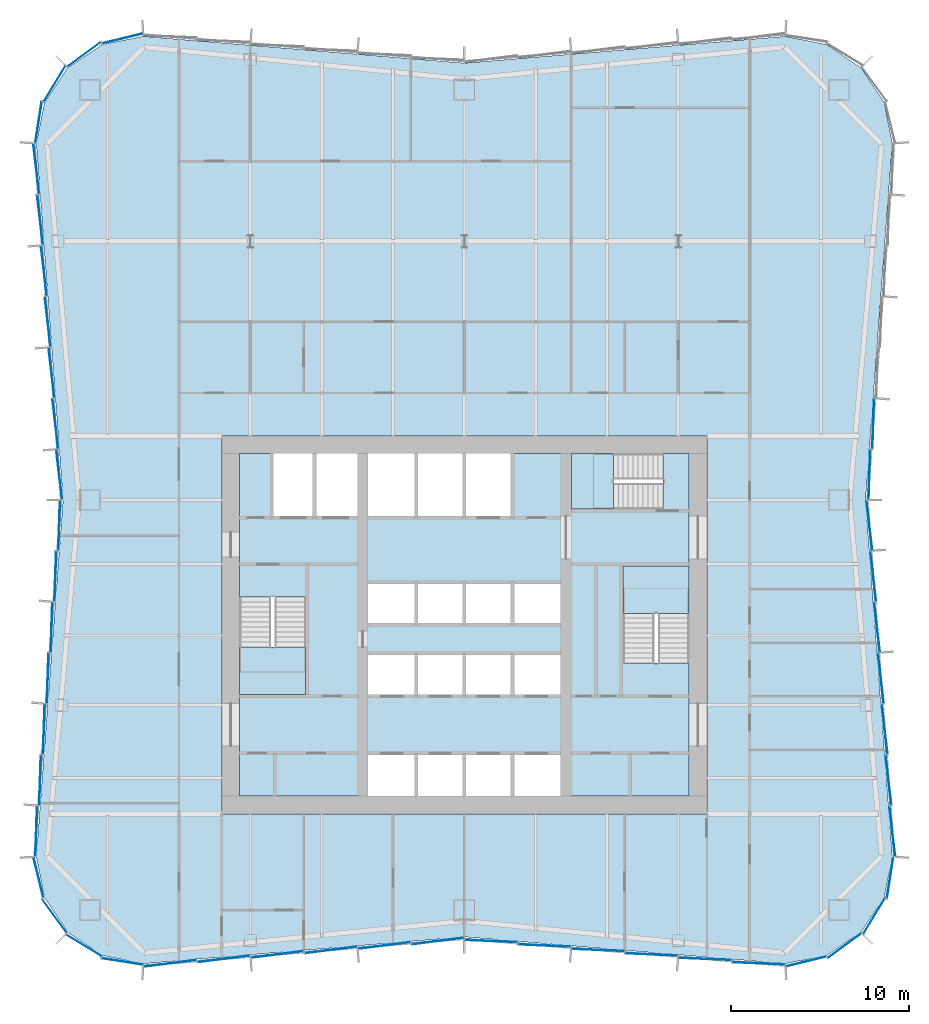
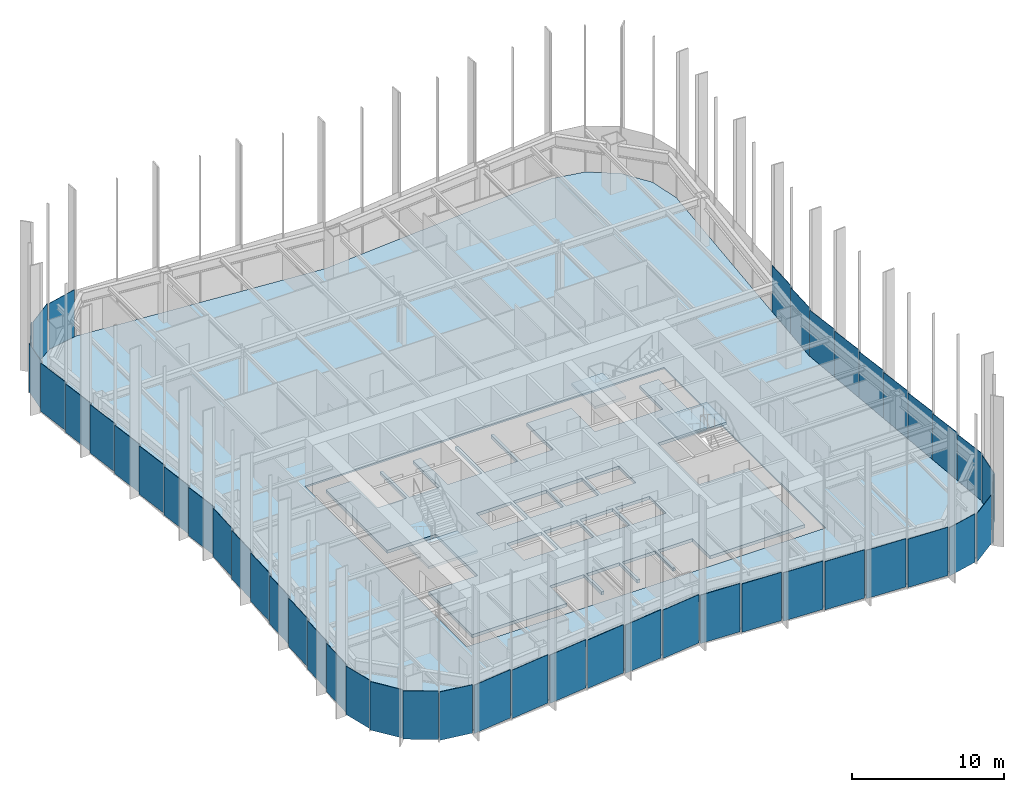
# One storey, part 8 of 13: 47 plates, 5 slabs, 9 elements without a shape of their own.
"""IFC4 building model written with IfcOpenShell, lengths in metres."""

from ifc_helpers import new_model, si_unit, direction, frame, origin, origin_2d, place, context, subcontext, project, spatial, polyline, rectangle, outline, extrude, material, layer, layer_set, type_object, element, aggregate, save


model = new_model("IFC4")

# Units and contexts
model_context = context("Model", 3, precision=1e-05, world=origin(), true_north=direction((0.0, 1.0)))
body_context = subcontext(model_context, "Body", "Model", "MODEL_VIEW")
ifc_project = project(units=[si_unit("LENGTHUNIT", "METRE"), si_unit("AREAUNIT", "SQUARE_METRE"), si_unit("VOLUMEUNIT", "CUBIC_METRE"), si_unit("PLANEANGLEUNIT", "RADIAN"), si_unit("MASSUNIT", "GRAM", prefix="KILO")], contexts=[model_context])

# Site, building, storey
site_placement = place(None, origin())
site = spatial("IfcSite", under=ifc_project, at=site_placement, CompositionType="ELEMENT")
building_placement = place(site_placement, origin())
building = spatial("IfcBuilding", under=site, at=building_placement, Name="Verdant Reach Tower", CompositionType="ELEMENT")
storey_placement = place(building_placement, frame((0.0, 0.0, 138.0)))
storey = spatial("IfcBuildingStorey", under=building, at=storey_placement, Name="L31", CompositionType="ELEMENT", Elevation=138.0)

# Stair, slab
ifc_material_1 = material(Name="Concrete C40/50", Category="concrete")
stair_type = type_object("IfcStairType", Name="CO-STAIR", PredefinedType="HALF_TURN_STAIR", material=ifc_material_1)
stair_1_placement = place(storey_placement, origin())
stair_1 = element("IfcStair", 1, at=stair_1_placement, inside=storey, type_object=stair_type, Name="L31 Exit stair 1", PredefinedType="HALF_TURN_STAIR")
ifc_layer_1 = layer(ifc_material_1, 0.199951171875)
ifc_layer_set_1 = layer_set([ifc_layer_1], Name="CO-STAIR-LANDING")
slab_type_1 = type_object("IfcSlabType", Name="CO-STAIR-LANDING", PredefinedType="LANDING", material=ifc_layer_set_1)
slab_1_placement = place(storey_placement, frame((0.0, 0.0, 1.800048828125)))
slab_1 = element("IfcSlab", 2, at=slab_1_placement, type_object=slab_type_1, Name="ST-1 landing 1", PredefinedType="LANDING", context=body_context, shape_type="SweptSolid", body=[
    extrude(outline(polyline([(-12.60009765625, 26.75), (-12.60009765625, 24.10009765625), (-8.89990234375, 24.10009765625), (-8.89990234375, 26.75), (-12.60009765625, 26.75)])), origin(), (0.0, 0.0, 1.0), 0.199951171875),
])
aggregate(stair_1, [slab_1])

stair_2_placement = place(storey_placement, origin())
stair_2 = element("IfcStair", 3, at=stair_2_placement, inside=storey, type_object=stair_type, Name="L31 Exit stair 2", PredefinedType="HALF_TURN_STAIR")
slab_2_placement = place(storey_placement, frame((0.0, 0.0, 1.800048828125)))
slab_2 = element("IfcSlab", 4, at=slab_2_placement, type_object=slab_type_1, Name="ST-2 landing 1", PredefinedType="LANDING", context=body_context, shape_type="SweptSolid", body=[
    extrude(outline(polyline([(12.60009765625, 28.64990234375), (12.60009765625, 31.300048828125), (8.89990234375, 31.300048828125), (8.89990234375, 28.64990234375), (12.60009765625, 28.64990234375)])), origin(), (0.0, 0.0, 1.0), 0.199951171875),
])
aggregate(stair_2, [slab_2])

stair_3_placement = place(storey_placement, origin())
stair_3 = element("IfcStair", 5, at=stair_3_placement, inside=storey, type_object=stair_type, Name="L31 Exit stair 3", PredefinedType="HALF_TURN_STAIR")
slab_3_placement = place(storey_placement, frame((0.0, 0.0, 1.800048828125)))
slab_3 = element("IfcSlab", 6, at=slab_3_placement, type_object=slab_type_1, Name="ST-3 landing 1", PredefinedType="LANDING", context=body_context, shape_type="SweptSolid", body=[
    extrude(outline(polyline([(8.35009765625, 37.60009765625), (6.0, 37.60009765625), (6.0, 34.5), (8.35009765625, 34.5), (8.35009765625, 37.60009765625)])), origin(), (0.0, 0.0, 1.0), 0.199951171875),
])
aggregate(stair_3, [slab_3])

# Curtain wall, plate
ifc_material_2 = material(Name="Anodised aluminium", Category="aluminium")
curtain_wall_type = type_object("IfcCurtainWallType", Name="EN-CW SYSTEM Z2", PredefinedType="NOTDEFINED", material=ifc_material_2)
curtain_wall_1_placement = place(storey_placement, origin())
curtain_wall_1 = element("IfcCurtainWall", 7, at=curtain_wall_1_placement, inside=storey, type_object=curtain_wall_type, Name="Curtain wall south-east corner, L31", PredefinedType="NOTDEFINED")
ifc_material_3 = material(Name="Tinted glass with champagne spandrel", Category="glass")
ifc_layer_2 = layer(ifc_material_3, 0.031982421875)
ifc_layer_set_2 = layer_set([ifc_layer_2], Name="EN-PANEL CHAMPAGNE")
plate_type_1 = type_object("IfcPlateType", Name="EN-PANEL CHAMPAGNE", PredefinedType="CURTAIN_PANEL", material=ifc_layer_set_2)
plate_1_placement = place(storey_placement, frame((23.87353515625, 13.828369140625, -0.22607421875), z_axis=(0.0, 0.0, 1.0), x_axis=(0.154281290631, 0.988026964896, 0.0)))
plate_1 = element("IfcPlate", 8, at=plate_1_placement, type_object=plate_type_1, Name="Glass panel south-east corner 4.1, L31", PredefinedType="CURTAIN_PANEL", context=body_context, shape_type="SweptSolid", body=[
    extrude(rectangle(XDim=2.316162109375, YDim=0.031982421875, at=origin_2d()), origin(), (0.0, 0.0, 1.0), 3.8759765625),
])

# Curtain wall, plates
curtain_wall_2_placement = place(storey_placement, origin())
curtain_wall_2 = element("IfcCurtainWall", 9, at=curtain_wall_2_placement, inside=storey, type_object=curtain_wall_type, Name="Curtain wall east, L31", PredefinedType="NOTDEFINED")
plate_2_placement = place(storey_placement, frame((23.7841796875, 19.293701171875, -0.22607421875), z_axis=(0.0, 0.0, 1.0), x_axis=(-0.116482717753, 0.993192718693, 0.0)))
plate_2 = element("IfcPlate", 10, at=plate_2_placement, type_object=plate_type_1, Name="Glass panel east face part 1 2.1, L31", PredefinedType="CURTAIN_PANEL", context=body_context, shape_type="SweptSolid", body=[
    extrude(rectangle(XDim=2.80517578125, YDim=0.031982421875, at=origin_2d()), origin(), (0.0, 0.0, 1.0), 3.8759765625),
])
plate_3_placement = place(storey_placement, frame((23.570068359375, 22.15087890625, -0.22607421875), z_axis=(0.0, 0.0, 1.0), x_axis=(-0.116482717753, 0.993192718693, 0.0)))
plate_3 = element("IfcPlate", 11, at=plate_3_placement, type_object=plate_type_1, Name="Glass panel east face part 1 3.1, L31", PredefinedType="CURTAIN_PANEL", context=body_context, shape_type="SweptSolid", body=[
    extrude(rectangle(XDim=2.80517578125, YDim=0.031982421875, at=origin_2d()), origin(), (0.0, 0.0, 1.0), 3.8759765625),
])

curtain_wall_3_placement = place(storey_placement, origin())
curtain_wall_3 = element("IfcCurtainWall", 12, at=curtain_wall_3_placement, inside=storey, type_object=curtain_wall_type, Name="Curtain wall north-west corner, L31", PredefinedType="NOTDEFINED")
plate_4_placement = place(storey_placement, frame((-19.17138671875, 60.87353515625, -0.22607421875), z_axis=(0.0, 0.0, 1.0), x_axis=(-0.971657900775, -0.236391463174, 0.0)))
plate_4 = element("IfcPlate", 13, at=plate_4_placement, type_object=plate_type_1, Name="Glass panel north-west corner 1.1, L31", PredefinedType="CURTAIN_PANEL", context=body_context, shape_type="SweptSolid", body=[
    extrude(rectangle(XDim=2.31640625, YDim=0.031982421875, at=origin_2d()), origin(), (0.0, 0.0, 1.0), 3.8759765625),
])
plate_5_placement = place(storey_placement, frame((-21.3271484375, 59.9794921875, -0.22607421875), z_axis=(0.0, 0.0, 1.0), x_axis=(-0.807456760688, -0.589926757843, 0.0)))
plate_5 = element("IfcPlate", 14, at=plate_5_placement, type_object=plate_type_1, Name="Glass panel north-west corner 2.1, L31", PredefinedType="CURTAIN_PANEL", context=body_context, shape_type="SweptSolid", body=[
    extrude(rectangle(XDim=2.322509765625, YDim=0.031982421875, at=origin_2d()), origin(), (0.0, 0.0, 1.0), 3.8759765625),
])

curtain_wall_4_placement = place(storey_placement, origin())
curtain_wall_4 = element("IfcCurtainWall", 15, at=curtain_wall_4_placement, inside=storey, type_object=curtain_wall_type, Name="Curtain wall west, L31", PredefinedType="NOTDEFINED")
plate_6_placement = place(storey_placement, frame((-22.92724609375, 39.27783203125, -0.22607421875), z_axis=(0.0, 0.0, 1.0), x_axis=(0.116482717753, -0.993192718693, 0.0)))
plate_6 = element("IfcPlate", 16, at=plate_6_placement, type_object=plate_type_1, Name="Glass panel west face part 1 6.1, L31", PredefinedType="CURTAIN_PANEL", context=body_context, shape_type="SweptSolid", body=[
    extrude(rectangle(XDim=2.80517578125, YDim=0.031982421875, at=origin_2d()), origin(), (0.0, 0.0, 1.0), 3.8759765625),
])
plate_7_placement = place(storey_placement, frame((-22.712890625, 36.424560546875, -0.22607421875), z_axis=(0.0, 0.0, 1.0), x_axis=(0.116585911919, -0.993180610535, 0.0)))
plate_7 = element("IfcPlate", 17, at=plate_7_placement, type_object=plate_type_1, Name="Glass panel west face part 1 7.1, L31", PredefinedType="CURTAIN_PANEL", context=body_context, shape_type="SweptSolid", body=[
    extrude(rectangle(XDim=2.797119140625, YDim=0.031982421875, at=origin_2d()), origin(), (0.0, 0.0, 1.0), 3.8759765625),
])
plate_8_placement = place(storey_placement, frame((-22.712890625, 33.575439453125, -0.22607421875), z_axis=(0.0, 0.0, 1.0), x_axis=(-0.033069817188, -0.999453044015, 0.0)))
plate_8 = element("IfcPlate", 18, at=plate_8_placement, type_object=plate_type_1, Name="Glass panel west face part 2 1.1, L31", PredefinedType="CURTAIN_PANEL", context=body_context, shape_type="SweptSolid", body=[
    extrude(rectangle(XDim=2.797119140625, YDim=0.031982421875, at=origin_2d()), origin(), (0.0, 0.0, 1.0), 3.8759765625),
])
plate_9_placement = place(storey_placement, frame((-23.99853515625, 16.42919921875, -0.22607421875), z_axis=(0.0, 0.0, 1.0), x_axis=(-0.032628234484, -0.99946755741, 0.0)))
plate_9 = element("IfcPlate", 19, at=plate_9_placement, type_object=plate_type_1, Name="Glass panel west face part 2 7.1, L31", PredefinedType="CURTAIN_PANEL", context=body_context, shape_type="SweptSolid", body=[
    extrude(rectangle(XDim=2.819580078125, YDim=0.031982421875, at=origin_2d()), origin(), (0.0, 0.0, 1.0), 3.8759765625),
])

curtain_wall_5_placement = place(storey_placement, origin())
curtain_wall_5 = element("IfcCurtainWall", 20, at=curtain_wall_5_placement, inside=storey, type_object=curtain_wall_type, Name="Curtain wall south, L31", PredefinedType="NOTDEFINED")
plate_10_placement = place(storey_placement, frame((-7.4912109375, 9.769287109375, -0.22607421875), z_axis=(0.0, 0.0, 1.0), x_axis=(0.992194034542, 0.124703639961, 0.0)))
plate_10 = element("IfcPlate", 21, at=plate_10_placement, type_object=plate_type_1, Name="Glass panel south face part 1 4.1, L31", PredefinedType="CURTAIN_PANEL", context=body_context, shape_type="SweptSolid", body=[
    extrude(rectangle(XDim=2.950439453125, YDim=0.031982421875, at=origin_2d()), origin(), (0.0, 0.0, 1.0), 3.8759765625),
])
plate_11_placement = place(storey_placement, frame((-4.4912109375, 10.019287109375, -0.22607421875), z_axis=(0.0, 0.0, 1.0), x_axis=(0.992194034542, 0.124703639961, 0.0)))
plate_11 = element("IfcPlate", 22, at=plate_11_placement, type_object=plate_type_1, Name="Glass panel south face part 1 5.1, L31", PredefinedType="CURTAIN_PANEL", context=body_context, shape_type="SweptSolid", body=[
    extrude(rectangle(XDim=2.950439453125, YDim=0.031982421875, at=origin_2d()), origin(), (0.0, 0.0, 1.0), 3.8759765625),
])
plate_12_placement = place(storey_placement, frame((13.4912109375, 9.269287109375, -0.22607421875), z_axis=(0.0, 0.0, 1.0), x_axis=(0.999149202059, -0.041241629766, 0.0)))
plate_12 = element("IfcPlate", 23, at=plate_12_placement, type_object=plate_type_1, Name="Glass panel south face part 2 5.1, L31", PredefinedType="CURTAIN_PANEL", context=body_context, shape_type="SweptSolid", body=[
    extrude(rectangle(XDim=2.950439453125, YDim=0.031982421875, at=origin_2d()), origin(), (0.0, 0.0, 1.0), 3.8759765625),
])
plate_13_placement = place(storey_placement, frame((16.49853515625, 9.019287109375, -0.22607421875), z_axis=(0.0, 0.0, 1.0), x_axis=(0.999163230224, -0.040900359019, 0.0)))
plate_13 = element("IfcPlate", 24, at=plate_13_placement, type_object=plate_type_1, Name="Glass panel south face part 2 6.1, L31", PredefinedType="CURTAIN_PANEL", context=body_context, shape_type="SweptSolid", body=[
    extrude(rectangle(XDim=2.965087890625, YDim=0.031982421875, at=origin_2d()), origin(), (0.0, 0.0, 1.0), 3.8759765625),
])

# Plate
ifc_material_4 = material(Name="Tinted glass with copper spandrel", Category="glass")
ifc_layer_3 = layer(ifc_material_4, 0.031982421875)
ifc_layer_set_3 = layer_set([ifc_layer_3], Name="EN-PANEL COPPER")
plate_type_2 = type_object("IfcPlateType", Name="EN-PANEL COPPER", PredefinedType="CURTAIN_PANEL", material=ifc_layer_set_3)
plate_14_placement = place(storey_placement, frame((23.355712890625, 25.0078125, -0.22607421875), z_axis=(0.0, 0.0, 1.0), x_axis=(-0.116482717753, 0.993192718693, 0.0)))
plate_14 = element("IfcPlate", 25, at=plate_14_placement, type_object=plate_type_2, Name="Glass panel east face part 1 4.1, L31", PredefinedType="CURTAIN_PANEL", context=body_context, shape_type="SweptSolid", body=[
    extrude(rectangle(XDim=2.80517578125, YDim=0.031982421875, at=origin_2d()), origin(), (0.0, 0.0, 1.0), 3.8759765625),
])

plate_15_placement = place(storey_placement, frame((23.141357421875, 27.864990234375, -0.22607421875), z_axis=(0.0, 0.0, 1.0), x_axis=(-0.116482717753, 0.993192718693, 0.0)))
plate_15 = element("IfcPlate", 26, at=plate_15_placement, type_object=plate_type_2, Name="Glass panel east face part 1 5.1, L31", PredefinedType="CURTAIN_PANEL", context=body_context, shape_type="SweptSolid", body=[
    extrude(rectangle(XDim=2.80517578125, YDim=0.031982421875, at=origin_2d()), origin(), (0.0, 0.0, 1.0), 3.8759765625),
])

plate_16_placement = place(storey_placement, frame((22.92724609375, 30.72216796875, -0.22607421875), z_axis=(0.0, 0.0, 1.0), x_axis=(-0.116482717753, 0.993192718693, 0.0)))
plate_16 = element("IfcPlate", 27, at=plate_16_placement, type_object=plate_type_2, Name="Glass panel east face part 1 6.1, L31", PredefinedType="CURTAIN_PANEL", context=body_context, shape_type="SweptSolid", body=[
    extrude(rectangle(XDim=2.80517578125, YDim=0.031982421875, at=origin_2d()), origin(), (0.0, 0.0, 1.0), 3.8759765625),
])

plate_17_placement = place(storey_placement, frame((-22.9794921875, 58.3271484375, -0.22607421875), z_axis=(0.0, 0.0, 1.0), x_axis=(-0.520291561353, -0.853988694998, 0.0)))
plate_17 = element("IfcPlate", 28, at=plate_17_placement, type_object=plate_type_2, Name="Glass panel north-west corner 3.1, L31", PredefinedType="CURTAIN_PANEL", context=body_context, shape_type="SweptSolid", body=[
    extrude(rectangle(XDim=2.322509765625, YDim=0.031982421875, at=origin_2d()), origin(), (0.0, 0.0, 1.0), 3.8759765625),
])

plate_18_placement = place(storey_placement, frame((-23.87353515625, 56.171630859375, -0.22607421875), z_axis=(0.0, 0.0, 1.0), x_axis=(-0.154281290631, -0.988026964896, 0.0)))
plate_18 = element("IfcPlate", 29, at=plate_18_placement, type_object=plate_type_2, Name="Glass panel north-west corner 4.1, L31", PredefinedType="CURTAIN_PANEL", context=body_context, shape_type="SweptSolid", body=[
    extrude(rectangle(XDim=2.316162109375, YDim=0.031982421875, at=origin_2d()), origin(), (0.0, 0.0, 1.0), 3.8759765625),
])

aggregate(curtain_wall_3, [plate_4, plate_5, plate_17, plate_18])

plate_19_placement = place(storey_placement, frame((-23.99853515625, 53.57080078125, -0.22607421875), z_axis=(0.0, 0.0, 1.0), x_axis=(0.116147092358, -0.993232023717, 0.0)))
plate_19 = element("IfcPlate", 30, at=plate_19_placement, type_object=plate_type_2, Name="Glass panel west face part 1 1.1, L31", PredefinedType="CURTAIN_PANEL", context=body_context, shape_type="SweptSolid", body=[
    extrude(rectangle(XDim=2.819580078125, YDim=0.031982421875, at=origin_2d()), origin(), (0.0, 0.0, 1.0), 3.8759765625),
])

plate_20_placement = place(storey_placement, frame((-23.7841796875, 50.706298828125, -0.22607421875), z_axis=(0.0, 0.0, 1.0), x_axis=(0.116482717753, -0.993192718693, 0.0)))
plate_20 = element("IfcPlate", 31, at=plate_20_placement, type_object=plate_type_2, Name="Glass panel west face part 1 2.1, L31", PredefinedType="CURTAIN_PANEL", context=body_context, shape_type="SweptSolid", body=[
    extrude(rectangle(XDim=2.80517578125, YDim=0.031982421875, at=origin_2d()), origin(), (0.0, 0.0, 1.0), 3.8759765625),
])

plate_21_placement = place(storey_placement, frame((-22.92724609375, 30.72216796875, -0.22607421875), z_axis=(0.0, 0.0, 1.0), x_axis=(-0.032965971753, -0.999456474643, 0.0)))
plate_21 = element("IfcPlate", 32, at=plate_21_placement, type_object=plate_type_2, Name="Glass panel west face part 2 2.1, L31", PredefinedType="CURTAIN_PANEL", context=body_context, shape_type="SweptSolid", body=[
    extrude(rectangle(XDim=2.80517578125, YDim=0.031982421875, at=origin_2d()), origin(), (0.0, 0.0, 1.0), 3.8759765625),
])

plate_22_placement = place(storey_placement, frame((-23.141357421875, 27.864990234375, -0.22607421875), z_axis=(0.0, 0.0, 1.0), x_axis=(-0.032965971753, -0.999456474643, 0.0)))
plate_22 = element("IfcPlate", 33, at=plate_22_placement, type_object=plate_type_2, Name="Glass panel west face part 2 3.1, L31", PredefinedType="CURTAIN_PANEL", context=body_context, shape_type="SweptSolid", body=[
    extrude(rectangle(XDim=2.80517578125, YDim=0.031982421875, at=origin_2d()), origin(), (0.0, 0.0, 1.0), 3.8759765625),
])

plate_23_placement = place(storey_placement, frame((-23.355712890625, 25.0078125, -0.22607421875), z_axis=(0.0, 0.0, 1.0), x_axis=(-0.032965971753, -0.999456474643, 0.0)))
plate_23 = element("IfcPlate", 34, at=plate_23_placement, type_object=plate_type_2, Name="Glass panel west face part 2 4.1, L31", PredefinedType="CURTAIN_PANEL", context=body_context, shape_type="SweptSolid", body=[
    extrude(rectangle(XDim=2.80517578125, YDim=0.031982421875, at=origin_2d()), origin(), (0.0, 0.0, 1.0), 3.8759765625),
])

# Curtain wall, plates
curtain_wall_6_placement = place(storey_placement, origin())
curtain_wall_6 = element("IfcCurtainWall", 35, at=curtain_wall_6_placement, inside=storey, type_object=curtain_wall_type, Name="Curtain wall south-west corner, L31", PredefinedType="NOTDEFINED")
plate_24_placement = place(storey_placement, frame((-23.87353515625, 13.828369140625, -0.22607421875), z_axis=(0.0, 0.0, 1.0), x_axis=(0.236416170006, -0.971651889598, 0.0)))
plate_24 = element("IfcPlate", 36, at=plate_24_placement, type_object=plate_type_2, Name="Glass panel south-west corner 1.1, L31", PredefinedType="CURTAIN_PANEL", context=body_context, shape_type="SweptSolid", body=[
    extrude(rectangle(XDim=2.316162109375, YDim=0.031982421875, at=origin_2d()), origin(), (0.0, 0.0, 1.0), 3.8759765625),
])
plate_25_placement = place(storey_placement, frame((-22.9794921875, 11.6728515625, -0.22607421875), z_axis=(0.0, 0.0, 1.0), x_axis=(0.589926757843, -0.807456760688, 0.0)))
plate_25 = element("IfcPlate", 37, at=plate_25_placement, type_object=plate_type_2, Name="Glass panel south-west corner 2.1, L31", PredefinedType="CURTAIN_PANEL", context=body_context, shape_type="SweptSolid", body=[
    extrude(rectangle(XDim=2.322509765625, YDim=0.031982421875, at=origin_2d()), origin(), (0.0, 0.0, 1.0), 3.8759765625),
])

# Plate
plate_26_placement = place(storey_placement, frame((-1.49560546875, 10.269287109375, -0.22607421875), z_axis=(0.0, 0.0, 1.0), x_axis=(0.992178815188, 0.12482467181, 0.0)))
plate_26 = element("IfcPlate", 38, at=plate_26_placement, type_object=plate_type_2, Name="Glass panel south face part 1 6.1, L31", PredefinedType="CURTAIN_PANEL", context=body_context, shape_type="SweptSolid", body=[
    extrude(rectangle(XDim=2.941650390625, YDim=0.031982421875, at=origin_2d()), origin(), (0.0, 0.0, 1.0), 3.8759765625),
])

plate_27_placement = place(storey_placement, frame((1.49560546875, 10.269287109375, -0.22607421875), z_axis=(0.0, 0.0, 1.0), x_axis=(0.999144163765, -0.041363510662, 0.0)))
plate_27 = element("IfcPlate", 39, at=plate_27_placement, type_object=plate_type_2, Name="Glass panel south face part 2 1.1, L31", PredefinedType="CURTAIN_PANEL", context=body_context, shape_type="SweptSolid", body=[
    extrude(rectangle(XDim=2.941650390625, YDim=0.031982421875, at=origin_2d()), origin(), (0.0, 0.0, 1.0), 3.8759765625),
])

plate_28_placement = place(storey_placement, frame((4.4912109375, 10.019287109375, -0.22607421875), z_axis=(0.0, 0.0, 1.0), x_axis=(0.999149202059, -0.041241629766, 0.0)))
plate_28 = element("IfcPlate", 40, at=plate_28_placement, type_object=plate_type_2, Name="Glass panel south face part 2 2.1, L31", PredefinedType="CURTAIN_PANEL", context=body_context, shape_type="SweptSolid", body=[
    extrude(rectangle(XDim=2.950439453125, YDim=0.031982421875, at=origin_2d()), origin(), (0.0, 0.0, 1.0), 3.8759765625),
])

ifc_material_5 = material(Name="Tinted glass with dark bronze spandrel", Category="glass")
ifc_layer_4 = layer(ifc_material_5, 0.031982421875)
ifc_layer_set_4 = layer_set([ifc_layer_4], Name="EN-PANEL DARK")
plate_type_3 = type_object("IfcPlateType", Name="EN-PANEL DARK", PredefinedType="CURTAIN_PANEL", material=ifc_layer_set_4)
plate_29_placement = place(storey_placement, frame((19.17138671875, 9.12646484375, -0.22607421875), z_axis=(0.0, 0.0, 1.0), x_axis=(0.971657900775, 0.236391463174, 0.0)))
plate_29 = element("IfcPlate", 41, at=plate_29_placement, type_object=plate_type_3, Name="Glass panel south-east corner 1.1, L31", PredefinedType="CURTAIN_PANEL", context=body_context, shape_type="SweptSolid", body=[
    extrude(rectangle(XDim=2.31640625, YDim=0.031982421875, at=origin_2d()), origin(), (0.0, 0.0, 1.0), 3.8759765625),
])

plate_30_placement = place(storey_placement, frame((21.3271484375, 10.0205078125, -0.22607421875), z_axis=(0.0, 0.0, 1.0), x_axis=(0.807456760688, 0.589926757843, 0.0)))
plate_30 = element("IfcPlate", 42, at=plate_30_placement, type_object=plate_type_3, Name="Glass panel south-east corner 2.1, L31", PredefinedType="CURTAIN_PANEL", context=body_context, shape_type="SweptSolid", body=[
    extrude(rectangle(XDim=2.322509765625, YDim=0.031982421875, at=origin_2d()), origin(), (0.0, 0.0, 1.0), 3.8759765625),
])

plate_31_placement = place(storey_placement, frame((22.9794921875, 11.6728515625, -0.22607421875), z_axis=(0.0, 0.0, 1.0), x_axis=(0.520291561353, 0.853988694998, 0.0)))
plate_31 = element("IfcPlate", 43, at=plate_31_placement, type_object=plate_type_3, Name="Glass panel south-east corner 3.1, L31", PredefinedType="CURTAIN_PANEL", context=body_context, shape_type="SweptSolid", body=[
    extrude(rectangle(XDim=2.322509765625, YDim=0.031982421875, at=origin_2d()), origin(), (0.0, 0.0, 1.0), 3.8759765625),
])

aggregate(curtain_wall_1, [plate_29, plate_30, plate_31, plate_1])

plate_32_placement = place(storey_placement, frame((23.99853515625, 16.42919921875, -0.22607421875), z_axis=(0.0, 0.0, 1.0), x_axis=(-0.116147092358, 0.993232023717, 0.0)))
plate_32 = element("IfcPlate", 44, at=plate_32_placement, type_object=plate_type_3, Name="Glass panel east face part 1 1.1, L31", PredefinedType="CURTAIN_PANEL", context=body_context, shape_type="SweptSolid", body=[
    extrude(rectangle(XDim=2.819580078125, YDim=0.031982421875, at=origin_2d()), origin(), (0.0, 0.0, 1.0), 3.8759765625),
])

plate_33_placement = place(storey_placement, frame((22.712890625, 33.575439453125, -0.22607421875), z_axis=(0.0, 0.0, 1.0), x_axis=(-0.116585911919, 0.993180610535, 0.0)))
plate_33 = element("IfcPlate", 45, at=plate_33_placement, type_object=plate_type_3, Name="Glass panel east face part 1 7.1, L31", PredefinedType="CURTAIN_PANEL", context=body_context, shape_type="SweptSolid", body=[
    extrude(rectangle(XDim=2.797119140625, YDim=0.031982421875, at=origin_2d()), origin(), (0.0, 0.0, 1.0), 3.8759765625),
])

plate_34_placement = place(storey_placement, frame((22.712890625, 36.424560546875, -0.22607421875), z_axis=(0.0, 0.0, 1.0), x_axis=(0.033069817188, 0.999453044015, 0.0)))
plate_34 = element("IfcPlate", 46, at=plate_34_placement, type_object=plate_type_3, Name="Glass panel east face part 2 1.1, L31", PredefinedType="CURTAIN_PANEL", context=body_context, shape_type="SweptSolid", body=[
    extrude(rectangle(XDim=2.797119140625, YDim=0.031982421875, at=origin_2d()), origin(), (0.0, 0.0, 1.0), 3.8759765625),
])

plate_35_placement = place(storey_placement, frame((22.92724609375, 39.27783203125, -0.22607421875), z_axis=(0.0, 0.0, 1.0), x_axis=(0.032965971753, 0.999456474643, 0.0)))
plate_35 = element("IfcPlate", 47, at=plate_35_placement, type_object=plate_type_3, Name="Glass panel east face part 2 2.1, L31", PredefinedType="CURTAIN_PANEL", context=body_context, shape_type="SweptSolid", body=[
    extrude(rectangle(XDim=2.80517578125, YDim=0.031982421875, at=origin_2d()), origin(), (0.0, 0.0, 1.0), 3.8759765625),
])

aggregate(curtain_wall_2, [plate_32, plate_2, plate_3, plate_14, plate_15, plate_16, plate_33, plate_34, plate_35])

plate_36_placement = place(storey_placement, frame((-23.570068359375, 47.84912109375, -0.22607421875), z_axis=(0.0, 0.0, 1.0), x_axis=(0.116482717753, -0.993192718693, 0.0)))
plate_36 = element("IfcPlate", 48, at=plate_36_placement, type_object=plate_type_3, Name="Glass panel west face part 1 3.1, L31", PredefinedType="CURTAIN_PANEL", context=body_context, shape_type="SweptSolid", body=[
    extrude(rectangle(XDim=2.80517578125, YDim=0.031982421875, at=origin_2d()), origin(), (0.0, 0.0, 1.0), 3.8759765625),
])

plate_37_placement = place(storey_placement, frame((-23.355712890625, 44.9921875, -0.22607421875), z_axis=(0.0, 0.0, 1.0), x_axis=(0.116482717753, -0.993192718693, 0.0)))
plate_37 = element("IfcPlate", 49, at=plate_37_placement, type_object=plate_type_3, Name="Glass panel west face part 1 4.1, L31", PredefinedType="CURTAIN_PANEL", context=body_context, shape_type="SweptSolid", body=[
    extrude(rectangle(XDim=2.80517578125, YDim=0.031982421875, at=origin_2d()), origin(), (0.0, 0.0, 1.0), 3.8759765625),
])

plate_38_placement = place(storey_placement, frame((-23.141357421875, 42.135009765625, -0.22607421875), z_axis=(0.0, 0.0, 1.0), x_axis=(0.116482717753, -0.993192718693, 0.0)))
plate_38 = element("IfcPlate", 50, at=plate_38_placement, type_object=plate_type_3, Name="Glass panel west face part 1 5.1, L31", PredefinedType="CURTAIN_PANEL", context=body_context, shape_type="SweptSolid", body=[
    extrude(rectangle(XDim=2.80517578125, YDim=0.031982421875, at=origin_2d()), origin(), (0.0, 0.0, 1.0), 3.8759765625),
])

plate_39_placement = place(storey_placement, frame((-23.570068359375, 22.15087890625, -0.22607421875), z_axis=(0.0, 0.0, 1.0), x_axis=(-0.032965971753, -0.999456474643, 0.0)))
plate_39 = element("IfcPlate", 51, at=plate_39_placement, type_object=plate_type_3, Name="Glass panel west face part 2 5.1, L31", PredefinedType="CURTAIN_PANEL", context=body_context, shape_type="SweptSolid", body=[
    extrude(rectangle(XDim=2.80517578125, YDim=0.031982421875, at=origin_2d()), origin(), (0.0, 0.0, 1.0), 3.8759765625),
])

plate_40_placement = place(storey_placement, frame((-23.7841796875, 19.293701171875, -0.22607421875), z_axis=(0.0, 0.0, 1.0), x_axis=(-0.032965971753, -0.999456474643, 0.0)))
plate_40 = element("IfcPlate", 52, at=plate_40_placement, type_object=plate_type_3, Name="Glass panel west face part 2 6.1, L31", PredefinedType="CURTAIN_PANEL", context=body_context, shape_type="SweptSolid", body=[
    extrude(rectangle(XDim=2.80517578125, YDim=0.031982421875, at=origin_2d()), origin(), (0.0, 0.0, 1.0), 3.8759765625),
])

aggregate(curtain_wall_4, [plate_19, plate_20, plate_36, plate_37, plate_38, plate_6, plate_7, plate_8, plate_21, plate_22, plate_23, plate_39, plate_40, plate_9])

plate_41_placement = place(storey_placement, frame((-21.3271484375, 10.0205078125, -0.22607421875), z_axis=(0.0, 0.0, 1.0), x_axis=(0.853988694998, -0.520291561353, 0.0)))
plate_41 = element("IfcPlate", 53, at=plate_41_placement, type_object=plate_type_3, Name="Glass panel south-west corner 3.1, L31", PredefinedType="CURTAIN_PANEL", context=body_context, shape_type="SweptSolid", body=[
    extrude(rectangle(XDim=2.322509765625, YDim=0.031982421875, at=origin_2d()), origin(), (0.0, 0.0, 1.0), 3.8759765625),
])

plate_42_placement = place(storey_placement, frame((-19.17138671875, 9.12646484375, -0.22607421875), z_axis=(0.0, 0.0, 1.0), x_axis=(0.988030887576, -0.154256167447, 0.0)))
plate_42 = element("IfcPlate", 54, at=plate_42_placement, type_object=plate_type_3, Name="Glass panel south-west corner 4.1, L31", PredefinedType="CURTAIN_PANEL", context=body_context, shape_type="SweptSolid", body=[
    extrude(rectangle(XDim=2.31640625, YDim=0.031982421875, at=origin_2d()), origin(), (0.0, 0.0, 1.0), 3.8759765625),
])

aggregate(curtain_wall_6, [plate_24, plate_25, plate_41, plate_42])

plate_43_placement = place(storey_placement, frame((-16.49853515625, 9.019287109375, -0.22607421875), z_axis=(0.0, 0.0, 1.0), x_axis=(0.992236570309, 0.124364739946, 0.0)))
plate_43 = element("IfcPlate", 55, at=plate_43_placement, type_object=plate_type_3, Name="Glass panel south face part 1 1.1, L31", PredefinedType="CURTAIN_PANEL", context=body_context, shape_type="SweptSolid", body=[
    extrude(rectangle(XDim=2.965087890625, YDim=0.031982421875, at=origin_2d()), origin(), (0.0, 0.0, 1.0), 3.8759765625),
])

plate_44_placement = place(storey_placement, frame((-13.4912109375, 9.269287109375, -0.22607421875), z_axis=(0.0, 0.0, 1.0), x_axis=(0.992194034542, 0.124703639961, 0.0)))
plate_44 = element("IfcPlate", 56, at=plate_44_placement, type_object=plate_type_3, Name="Glass panel south face part 1 2.1, L31", PredefinedType="CURTAIN_PANEL", context=body_context, shape_type="SweptSolid", body=[
    extrude(rectangle(XDim=2.950439453125, YDim=0.031982421875, at=origin_2d()), origin(), (0.0, 0.0, 1.0), 3.8759765625),
])

plate_45_placement = place(storey_placement, frame((-10.4912109375, 9.519287109375, -0.22607421875), z_axis=(0.0, 0.0, 1.0), x_axis=(0.992194034542, 0.124703639961, 0.0)))
plate_45 = element("IfcPlate", 57, at=plate_45_placement, type_object=plate_type_3, Name="Glass panel south face part 1 3.1, L31", PredefinedType="CURTAIN_PANEL", context=body_context, shape_type="SweptSolid", body=[
    extrude(rectangle(XDim=2.950439453125, YDim=0.031982421875, at=origin_2d()), origin(), (0.0, 0.0, 1.0), 3.8759765625),
])

plate_46_placement = place(storey_placement, frame((7.4912109375, 9.769287109375, -0.22607421875), z_axis=(0.0, 0.0, 1.0), x_axis=(0.999149202059, -0.041241629766, 0.0)))
plate_46 = element("IfcPlate", 58, at=plate_46_placement, type_object=plate_type_3, Name="Glass panel south face part 2 3.1, L31", PredefinedType="CURTAIN_PANEL", context=body_context, shape_type="SweptSolid", body=[
    extrude(rectangle(XDim=2.950439453125, YDim=0.031982421875, at=origin_2d()), origin(), (0.0, 0.0, 1.0), 3.8759765625),
])

plate_47_placement = place(storey_placement, frame((10.4912109375, 9.519287109375, -0.22607421875), z_axis=(0.0, 0.0, 1.0), x_axis=(0.999149202059, -0.041241629766, 0.0)))
plate_47 = element("IfcPlate", 59, at=plate_47_placement, type_object=plate_type_3, Name="Glass panel south face part 2 4.1, L31", PredefinedType="CURTAIN_PANEL", context=body_context, shape_type="SweptSolid", body=[
    extrude(rectangle(XDim=2.950439453125, YDim=0.031982421875, at=origin_2d()), origin(), (0.0, 0.0, 1.0), 3.8759765625),
])

aggregate(curtain_wall_5, [plate_43, plate_44, plate_45, plate_10, plate_11, plate_26, plate_27, plate_28, plate_46, plate_47, plate_12, plate_13])

# Slabs
ifc_material_6 = material(Name="Concrete C35/45", Category="concrete")
ifc_layer_5 = layer(ifc_material_6, 0.1298828125)
ifc_layer_set_5 = layer_set([ifc_layer_5], Name="ST-SLAB-130")
slab_type_2 = type_object("IfcSlabType", Name="ST-SLAB-130", PredefinedType="FLOOR", material=ifc_layer_set_5)
slab_4_placement = place(storey_placement, frame((0.0, 0.0, -0.1298828125)))
element("IfcSlab", 60, at=slab_4_placement, inside=storey, type_object=slab_type_2, Name="Floor slab L31", PredefinedType="FLOOR", context=body_context, shape_type="SweptSolid", body=[
    extrude(outline(polyline([(0.0, 10.5), (-18.0, 9.0), (-20.296142578125, 9.456787109375), (-22.24267578125, 10.75732421875), (-23.543212890625, 12.703857421875), (-24.0, 15.0), (-22.5, 35.0), (-24.0, 55.0), (-23.543212890625, 57.296142578125), (-22.24267578125, 59.24267578125), (-20.296142578125, 60.543212890625), (-18.0, 61.0), (0.0, 59.5), (18.0, 61.0), (20.296142578125, 60.543212890625), (22.24267578125, 59.24267578125), (23.543212890625, 57.296142578125), (24.0, 55.0), (22.5, 35.0), (24.0, 15.0), (23.543212890625, 12.703857421875), (22.24267578125, 10.75732421875), (20.296142578125, 9.456787109375), (18.0, 9.0), (0.0, 10.5)]), holes=[polyline([(13.60009765625, 38.60009765625), (-13.60009765625, 38.60009765625), (-13.60009765625, 17.39990234375), (13.60009765625, 17.39990234375), (13.60009765625, 38.60009765625)])]), origin(), (0.0, 0.0, 1.0), 0.1298828125),
])
ifc_layer_6 = layer(ifc_material_6, 0.25)
ifc_layer_set_6 = layer_set([ifc_layer_6], Name="ST-SLAB-250")
slab_type_3 = type_object("IfcSlabType", Name="ST-SLAB-250", PredefinedType="FLOOR", material=ifc_layer_set_6)
slab_5_placement = place(storey_placement, frame((0.0, 0.0, -0.25)))
element("IfcSlab", 61, at=slab_5_placement, inside=storey, type_object=slab_type_3, Name="Core floor slab L31", PredefinedType="FLOOR", context=body_context, shape_type="SweptSolid", body=[
    extrude(outline(polyline([(12.60009765625, 18.39990234375), (5.39990234375, 18.39990234375), (5.39990234375, 20.699951171875), (2.800048828125, 20.699951171875), (2.800048828125, 18.39990234375), (2.60009765625, 18.39990234375), (2.60009765625, 20.699951171875), (0.10009765625, 20.699951171875), (0.10009765625, 18.39990234375), (-0.10009765625, 18.39990234375), (-0.10009765625, 20.699951171875), (-2.60009765625, 20.699951171875), (-2.60009765625, 18.39990234375), (-2.800048828125, 18.39990234375), (-2.800048828125, 20.699951171875), (-5.39990234375, 20.699951171875), (-5.39990234375, 18.39990234375), (-12.60009765625, 18.39990234375), (-12.60009765625, 24.10009765625), (-8.89990234375, 24.10009765625), (-8.89990234375, 29.548095703125), (-12.60009765625, 29.548095703125), (-12.60009765625, 37.60009765625), (-10.699951171875, 37.60009765625), (-10.699951171875, 34.10009765625), (-8.5, 34.10009765625), (-8.5, 37.60009765625), (-8.300048828125, 37.60009765625), (-8.300048828125, 34.10009765625), (-6.0, 34.10009765625), (-6.0, 37.60009765625), (-5.39990234375, 37.60009765625), (-5.39990234375, 34.10009765625), (-2.800048828125, 34.10009765625), (-2.800048828125, 37.60009765625), (-2.60009765625, 37.60009765625), (-2.60009765625, 34.10009765625), (-0.10009765625, 34.10009765625), (-0.10009765625, 37.60009765625), (0.10009765625, 37.60009765625), (0.10009765625, 34.10009765625), (2.60009765625, 34.10009765625), (2.60009765625, 37.60009765625), (6.0, 37.60009765625), (6.0, 34.5), (11.14794921875, 34.5), (11.14794921875, 37.60009765625), (12.60009765625, 37.60009765625), (12.60009765625, 31.300048828125), (8.89990234375, 31.300048828125), (8.89990234375, 25.85205078125), (12.60009765625, 25.85205078125), (12.60009765625, 18.39990234375)]), holes=[polyline([(-2.800048828125, 24.10009765625), (-2.800048828125, 26.300048828125), (-5.39990234375, 26.300048828125), (-5.39990234375, 24.10009765625), (-2.800048828125, 24.10009765625)]), polyline([(-2.60009765625, 24.10009765625), (-0.10009765625, 24.10009765625), (-0.10009765625, 26.300048828125), (-2.60009765625, 26.300048828125), (-2.60009765625, 24.10009765625)]), polyline([(-2.800048828125, 28.10009765625), (-2.800048828125, 30.300048828125), (-5.39990234375, 30.300048828125), (-5.39990234375, 28.10009765625), (-2.800048828125, 28.10009765625)]), polyline([(-0.10009765625, 28.10009765625), (-0.10009765625, 30.300048828125), (-2.60009765625, 30.300048828125), (-2.60009765625, 28.10009765625), (-0.10009765625, 28.10009765625)]), polyline([(2.60009765625, 24.10009765625), (2.60009765625, 26.300048828125), (0.10009765625, 26.300048828125), (0.10009765625, 24.10009765625), (2.60009765625, 24.10009765625)]), polyline([(2.800048828125, 24.10009765625), (5.39990234375, 24.10009765625), (5.39990234375, 26.300048828125), (2.800048828125, 26.300048828125), (2.800048828125, 24.10009765625)]), polyline([(2.60009765625, 28.10009765625), (2.60009765625, 30.300048828125), (0.10009765625, 30.300048828125), (0.10009765625, 28.10009765625), (2.60009765625, 28.10009765625)]), polyline([(5.39990234375, 28.10009765625), (5.39990234375, 30.300048828125), (2.800048828125, 30.300048828125), (2.800048828125, 28.10009765625), (5.39990234375, 28.10009765625)])]), origin(), (0.0, 0.0, 1.0), 0.25),
])

save(model, "model.ifc")
